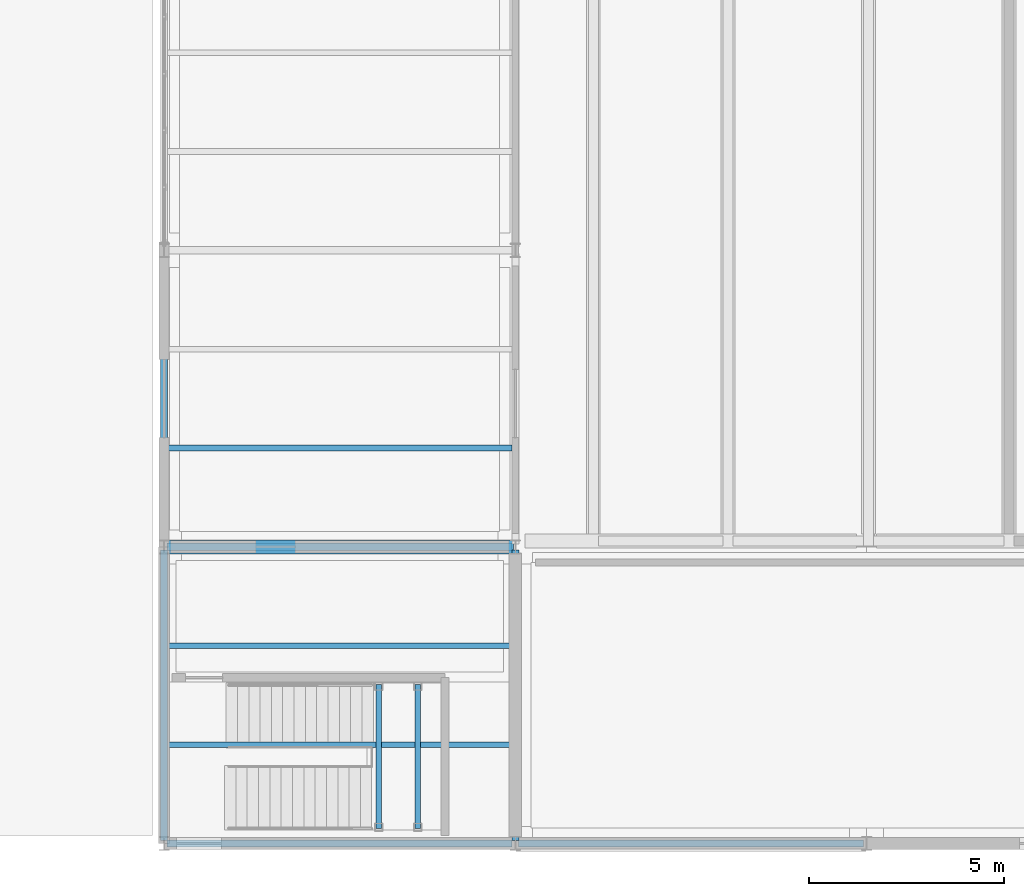
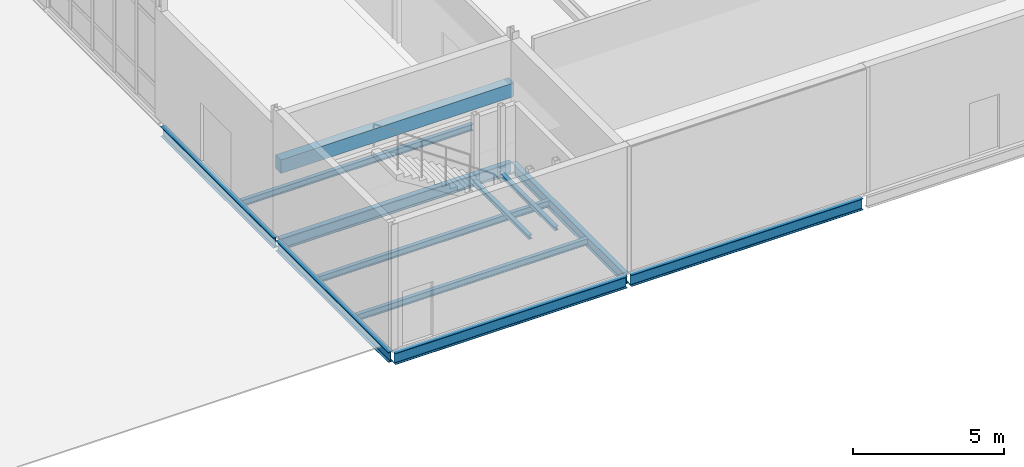
# One storey, part 101 of 161: 12 beams.
"""IFC4 building model written with IfcOpenShell, lengths in metres."""

from ifc_helpers import new_model, si_unit, direction, frame, origin, origin_2d, place, context, subcontext, project, spatial, rectangle, i_section, extrude, material, material_profile, profile_set, type_object, element, save


model = new_model("IFC4")

# Units and contexts
model_context = context("Model", 3, precision=1e-05, world=origin(), true_north=direction((0.0, 1.0)))
body_context = subcontext(model_context, "Body", "Model", "MODEL_VIEW")
ifc_project = project(units=[si_unit("LENGTHUNIT", "METRE"), si_unit("AREAUNIT", "SQUARE_METRE"), si_unit("VOLUMEUNIT", "CUBIC_METRE"), si_unit("PLANEANGLEUNIT", "RADIAN"), si_unit("MASSUNIT", "GRAM", prefix="KILO")], contexts=[model_context])

# Site, building, storey
site_placement = place(None, origin())
site = spatial("IfcSite", under=ifc_project, at=site_placement, CompositionType="ELEMENT")
building_placement = place(site_placement, origin())
building = spatial("IfcBuilding", under=site, at=building_placement, Name="Caisbarro Railhouse Central Library", CompositionType="ELEMENT")
storey_placement = place(building_placement, origin())
storey = spatial("IfcBuildingStorey", under=building, at=storey_placement, Name="L00", CompositionType="ELEMENT", Elevation=0.0)

# Beams
ifc_material_1 = material(Name="Steel ASTM A572 Grade 50", Category="steel")
ifc_material_profile_1 = material_profile(ifc_material_1, i_section(OverallWidth=0.194091796875, OverallDepth=0.468994140625, WebThickness=0.0126953125, FlangeThickness=0.0205078125, FilletRadius=0.01806640625, at=origin_2d()), Name="W460X106.0")
ifc_profile_set_1 = profile_set([ifc_material_profile_1], Name="Steel ASTM A572 Grade 50")
beam_type_1 = type_object("IfcBeamType", Name="BM-G07", PredefinedType="BEAM", material=ifc_profile_set_1)
beam_1_placement = place(storey_placement, frame((144.080078125, 7.60009765625, -0.484619140625), z_axis=(1.0, 0.0, 0.0), x_axis=(0.0, 1.0, 0.0)))
element("IfcBeam", 1, at=beam_1_placement, inside=storey, type_object=beam_type_1, Name="G07 beam L00 #457", PredefinedType="BEAM", context=body_context, shape_type="SweptSolid", body=[
    extrude(i_section(OverallWidth=0.194091796875, OverallDepth=0.468994140625, WebThickness=0.0126953125, FlangeThickness=0.0205078125, FilletRadius=0.01806640625, at=origin_2d()), origin(), (0.0, 0.0, 1.0), 8.83984375),
])
ifc_material_profile_2 = material_profile(ifc_material_1, i_section(OverallWidth=0.180908203125, OverallDepth=0.4169921875, WebThickness=0.010986328125, FlangeThickness=0.018310546875, FilletRadius=0.01611328125, at=origin_2d()), Name="W410X85.0")
ifc_profile_set_2 = profile_set([ifc_material_profile_2], Name="Steel ASTM A572 Grade 50")
beam_type_2 = type_object("IfcBeamType", Name="BM-G09", PredefinedType="BEAM", material=ifc_profile_set_2)
beam_2_placement = place(storey_placement, frame((144.0, 0.080078125, -0.45849609375), z_axis=(0.0, 1.0, 0.0), x_axis=(-1.0, 0.0, 0.0)))
element("IfcBeam", 2, at=beam_2_placement, inside=storey, type_object=beam_type_2, Name="G09 beam L00 #465", PredefinedType="BEAM", context=body_context, shape_type="SweptSolid", body=[
    extrude(i_section(OverallWidth=0.180908203125, OverallDepth=0.4169921875, WebThickness=0.010986328125, FlangeThickness=0.018310546875, FilletRadius=0.01611328125, at=origin_2d()), origin(), (0.0, 0.0, 1.0), 7.43994140625),
])
beam_3_placement = place(storey_placement, frame((144.0, 7.679931640625, -0.45849609375), z_axis=(0.0, 1.0, 0.0), x_axis=(-1.0, 0.0, 0.0)))
element("IfcBeam", 3, at=beam_3_placement, inside=storey, type_object=beam_type_2, Name="G09 beam L00 #466", PredefinedType="BEAM", context=body_context, shape_type="SweptSolid", body=[
    extrude(i_section(OverallWidth=0.180908203125, OverallDepth=0.4169921875, WebThickness=0.010986328125, FlangeThickness=0.018310546875, FilletRadius=0.01611328125, at=origin_2d()), origin(), (0.0, 0.0, 1.0), 7.440185546875),
])
beam_4_placement = place(storey_placement, frame((153.0, 0.080078125, -0.45849609375), z_axis=(0.0, 1.0, 0.0), x_axis=(-1.0, 0.0, 0.0)))
element("IfcBeam", 4, at=beam_4_placement, inside=storey, type_object=beam_type_2, Name="G09 beam L00 #470", PredefinedType="BEAM", context=body_context, shape_type="SweptSolid", body=[
    extrude(i_section(OverallWidth=0.180908203125, OverallDepth=0.4169921875, WebThickness=0.010986328125, FlangeThickness=0.018310546875, FilletRadius=0.01611328125, at=origin_2d()), origin(), (0.0, 0.0, 1.0), 7.43994140625),
])
ifc_material_profile_3 = material_profile(ifc_material_1, i_section(OverallWidth=0.14599609375, OverallDepth=0.258056640625, WebThickness=0.006103515625, FlangeThickness=0.009033203125, FilletRadius=0.010009765625, at=origin_2d()), Name="W250X32.7")
ifc_profile_set_3 = profile_set([ifc_material_profile_3], Name="Steel ASTM A572 Grade 50")
beam_type_3 = type_object("IfcBeamType", Name="BM-J05", PredefinedType="JOIST", material=ifc_profile_set_3)
for number, where, z_axis, x_axis, name in (
    (5, (144.090576171875, 2.533203125, -0.37890625), (1.0, 0.0, 0.0), (0.0, 1.0, 0.0), "J05 beam L00 #480"),
    (6, (144.090576171875, 5.066650390625, -0.37890625), (1.0, 0.0, 0.0), (0.0, 1.0, 0.0), "J05 beam L00 #481"),
    (7, (144.090576171875, 10.13330078125, -0.37890625), (1.0, 0.0, 0.0), (0.0, 1.0, 0.0), "J05 beam L00 #482"),
):
    element("IfcBeam", number, at=place(storey_placement, frame(where, z_axis=z_axis, x_axis=x_axis)), inside=storey, type_object=beam_type_3, Name=name, PredefinedType="JOIST", context=body_context, shape_type="SweptSolid", body=[
        extrude(i_section(OverallWidth=0.14599609375, OverallDepth=0.258056640625, WebThickness=0.006103515625, FlangeThickness=0.009033203125, FilletRadius=0.010009765625, at=origin_2d()), origin(), (0.0, 0.0, 1.0), 8.81884765625),
    ])
ifc_material_2 = material(Name="Concrete C40", Category="concrete")
ifc_material_profile_4 = material_profile(ifc_material_2, rectangle(XDim=0.35009765625, YDim=0.550048828125, at=origin_2d()), Name="RC-LIN-350X550")
ifc_profile_set_4 = profile_set([ifc_material_profile_4], Name="Concrete C40")
beam_type_4 = type_object("IfcBeamType", Name="BM-LN00", PredefinedType="LINTEL", material=ifc_profile_set_4)
beam_5_placement = place(storey_placement, frame((144.050048828125, 7.60009765625, 2.72509765625), z_axis=(1.0, 0.0, 0.0), x_axis=(0.0, 1.0, 0.0)))
element("IfcBeam", 8, at=beam_5_placement, inside=storey, type_object=beam_type_4, Name="LN00 RC core coupling lintel K9 L00", PredefinedType="LINTEL", context=body_context, shape_type="SweptSolid", body=[
    extrude(rectangle(XDim=0.35009765625, YDim=0.550048828125, at=origin_2d()), origin(), (0.0, 0.0, 1.0), 8.89990234375),
])
ifc_material_profile_5 = material_profile(ifc_material_1, i_section(OverallWidth=0.152099609375, OverallDepth=0.152099609375, WebThickness=0.005859375, FlangeThickness=0.006591796875, FilletRadius=0.008056640625, at=origin_2d()), Name="W150X22.5")
ifc_profile_set_5 = profile_set([ifc_material_profile_5], Name="Steel ASTM A572 Grade 50")
beam_type_5 = type_object("IfcBeamType", Name="BM-SL00", PredefinedType="BEAM", material=ifc_profile_set_5)
for number, where, z_axis, x_axis, name in (
    (9, (149.5, 0.3798828125, 2.25390625), (0.0, 1.0, 0.0), (-1.0, 0.0, 0.0), "SL00 Stair Landing Support Beam K9 L00 W"),
    (10, (150.5, 0.3798828125, 2.25390625), (0.0, 1.0, 0.0), (-1.0, 0.0, 0.0), "SL00 Stair Landing Support Beam K9 L00 E"),
):
    element("IfcBeam", number, at=place(storey_placement, frame(where, z_axis=z_axis, x_axis=x_axis)), inside=storey, type_object=beam_type_5, Name=name, PredefinedType="BEAM", context=body_context, shape_type="SweptSolid", body=[
        extrude(i_section(OverallWidth=0.152099609375, OverallDepth=0.152099609375, WebThickness=0.005859375, FlangeThickness=0.006591796875, FilletRadius=0.008056640625, at=origin_2d()), origin(), (0.0, 0.0, 1.0), 3.690185546875),
    ])
ifc_material_profile_6 = material_profile(ifc_material_1, i_section(OverallWidth=0.18994140625, OverallDepth=0.45703125, WebThickness=0.009033203125, FlangeThickness=0.014404296875, FilletRadius=0.01806640625, at=origin_2d()), Name="W460X74.0")
ifc_profile_set_6 = profile_set([ifc_material_profile_6], Name="Steel ASTM A572 Grade 50")
beam_type_6 = type_object("IfcBeamType", Name="BM-SP01", PredefinedType="SPANDREL", material=ifc_profile_set_6)
for number, where, z_axis, x_axis, name in (
    (11, (144.080078125, 0.0, -0.478515625), (1.0, 0.0, 0.0), (0.0, 1.0, 0.0), "SP01 beam L00 #453"),
    (12, (153.080078125, 0.0, -0.478515625), (1.0, 0.0, 0.0), (0.0, 1.0, 0.0), "SP01 beam L00 #454"),
):
    element("IfcBeam", number, at=place(storey_placement, frame(where, z_axis=z_axis, x_axis=x_axis)), inside=storey, type_object=beam_type_6, Name=name, PredefinedType="SPANDREL", context=body_context, shape_type="SweptSolid", body=[
        extrude(i_section(OverallWidth=0.18994140625, OverallDepth=0.45703125, WebThickness=0.009033203125, FlangeThickness=0.014404296875, FilletRadius=0.01806640625, at=origin_2d()), origin(), (0.0, 0.0, 1.0), 8.83984375),
    ])

save(model, "model.ifc")
